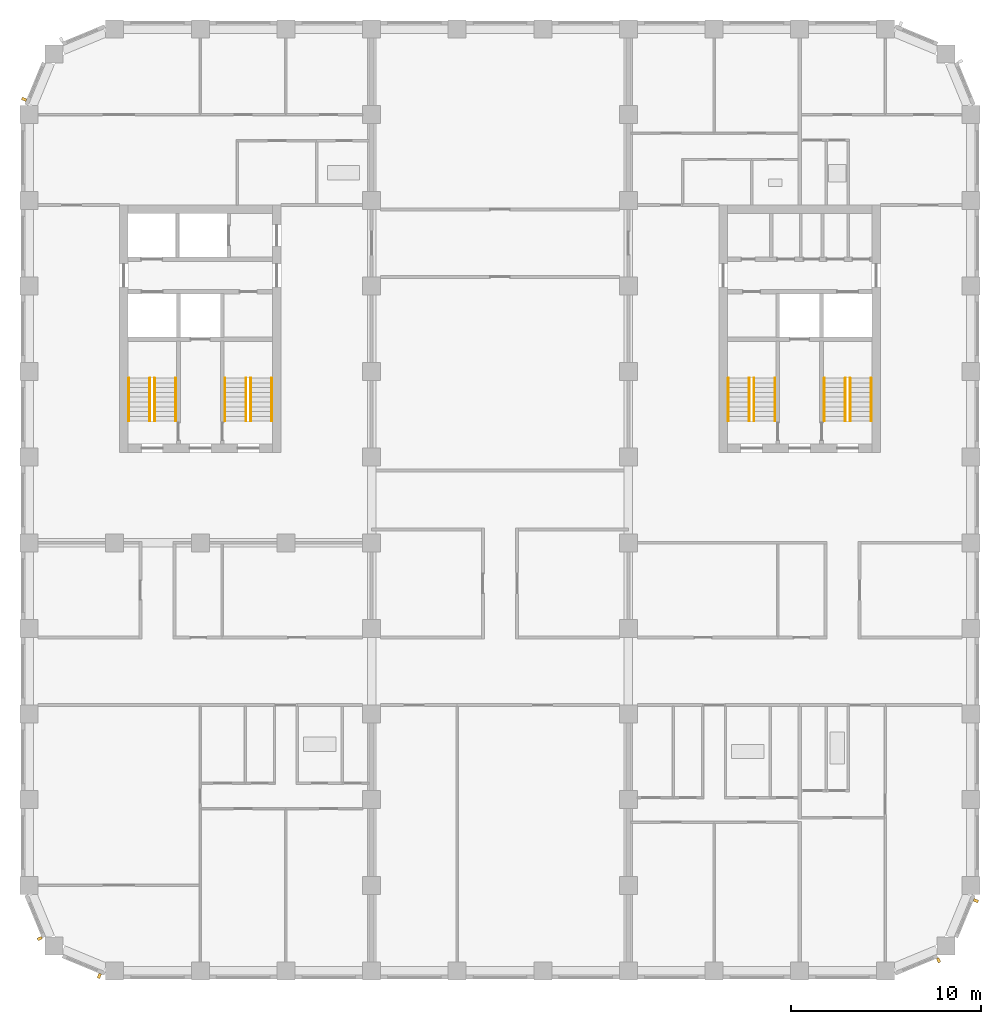
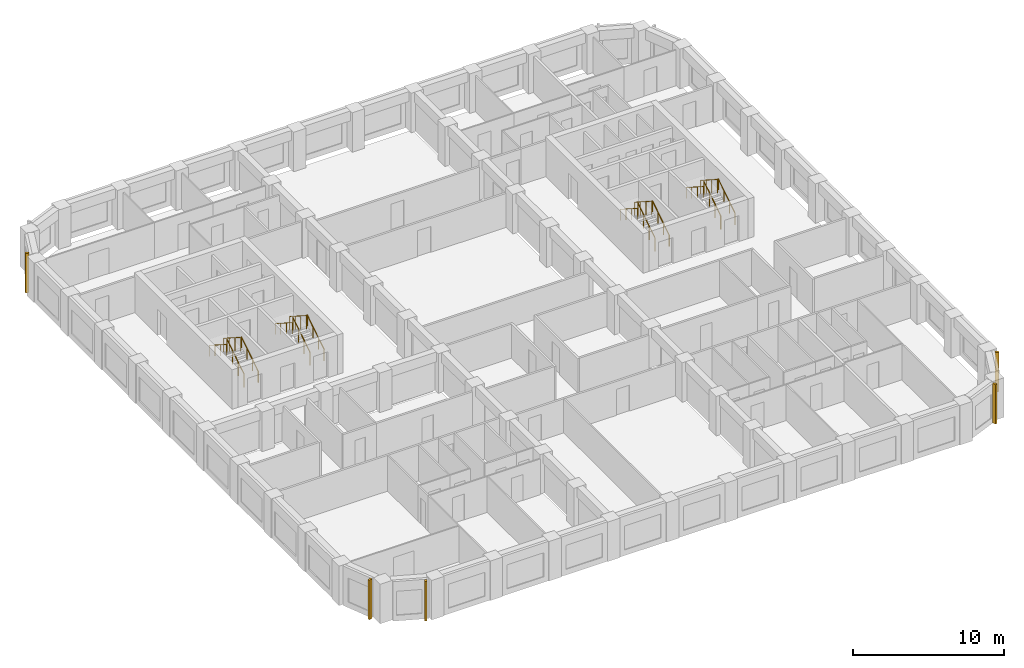
# One storey, part 10 of 12: 16 railings, 5 shading devices.
"""IFC4 building model written with IfcOpenShell, lengths in metres."""

from ifc_helpers import new_model, si_unit, direction, frame, origin, origin_2d, place, context, subcontext, project, spatial, rectangle, circle, extrude, material, type_object, element, save


model = new_model("IFC4")

# Units and contexts
model_context = context("Model", 3, precision=1e-05, world=origin(), true_north=direction((0.0, 1.0)))
body_context = subcontext(model_context, "Body", "Model", "MODEL_VIEW")
ifc_project = project(units=[si_unit("LENGTHUNIT", "METRE"), si_unit("AREAUNIT", "SQUARE_METRE"), si_unit("VOLUMEUNIT", "CUBIC_METRE"), si_unit("PLANEANGLEUNIT", "RADIAN"), si_unit("MASSUNIT", "GRAM", prefix="KILO")], contexts=[model_context])

# Site, building, storey
site_placement = place(None, origin())
site = spatial("IfcSite", under=ifc_project, at=site_placement, CompositionType="ELEMENT")
building_placement = place(site_placement, origin())
building = spatial("IfcBuilding", under=site, at=building_placement, Name="Girih Gate Residences", CompositionType="ELEMENT")
storey_placement = place(building_placement, frame((0.0, 0.0, 143.0)))
storey = spatial("IfcBuildingStorey", under=building, at=storey_placement, Name="L40", CompositionType="ELEMENT", Elevation=143.0)

# Shading devices
ifc_material_1 = material(Name="Precast concrete C50/60", Category="concrete")
shading_device_type = type_object("IfcShadingDeviceType", Name="Corner rib 150x250", PredefinedType="USERDEFINED", material=ifc_material_1)
for number, where, z_axis, x_axis, name in (
    (1, (0.562255859375, 1.705322265625, 0.0), (0.0, 0.0, 1.0), (0.382683432365, -0.923879532511, 0.0), "Corner rib SW0000_0045.0"),
    (2, (3.691650390625, -0.260498046875, 0.0), (0.0, 0.0, 1.0), (0.923879532511, -0.382683432365, 0.0), "Corner rib SW0013_0013.0"),
    (3, (47.794677734375, 0.562255859375, 0.0), (0.0, 0.0, 1.0), (0.923879532511, 0.382683432365, 0.0), "Corner rib SE0450_0000.0"),
    (4, (49.760498046875, 3.691650390625, 0.0), (0.0, 0.0, 1.0), (0.382683432365, 0.923879532511, 0.0), "Corner rib SE0482_0013.0"),
    (5, (-0.260498046875, 45.808349609375, 0.0), (0.0, 0.0, 1.0), (-0.382683432365, -0.923879532511, 0.0), "Corner rib NW0013_0482.0"),
):
    element("IfcShadingDevice", number, at=place(storey_placement, frame(where, z_axis=z_axis, x_axis=x_axis)), inside=storey, type_object=shading_device_type, Name=name, ObjectType="FIN", PredefinedType="USERDEFINED", context=body_context, shape_type="SweptSolid", body=[
        extrude(rectangle(XDim=0.14990234375, YDim=0.25, at=origin_2d()), origin(), (0.0, 0.0, 1.0), 3.199951171875),
    ])

# Railings
ifc_material_2 = material(Name="Stainless steel", Category="steel")
railing_type_1 = type_object("IfcRailingType", Name="Stair guard 1100", PredefinedType="GUARDRAIL", material=ifc_material_2)
railing_1_placement = place(storey_placement, frame((6.60009765625, 28.89990234375, 0.159912109375)))
element("IfcRailing", 6, at=railing_1_placement, inside=storey, type_object=railing_type_1, Name="L40 ST-W1 stair guard 1", PredefinedType="GUARDRAIL", context=body_context, shape_type="SweptSolid", body=[
    extrude(circle(Radius=0.02392578125, at=origin_2d()), frame((0.0, 0.0, 1.076171875), z_axis=(0.0, 0.842239864353, 0.539102968731), x_axis=(-1.0, 0.0, 0.0)), (0.0, 0.0, 1.0), 2.67138671875),
    extrude(circle(Radius=0.02099609375, at=origin_2d()), origin(), (0.0, 0.0, 1.0), 1.052001953125),
    extrude(circle(Radius=0.02099609375, at=origin_2d()), frame((0.0, 0.75, 0.47998046875)), (0.0, 0.0, 1.0), 1.052001953125),
    extrude(circle(Radius=0.02099609375, at=origin_2d()), frame((0.0, 1.5, 0.960205078125)), (0.0, 0.0, 1.0), 1.052001953125),
    extrude(circle(Radius=0.02099609375, at=origin_2d()), frame((0.0, 2.25, 1.440185546875)), (0.0, 0.0, 1.0), 1.052001953125),
])
railing_2_placement = place(storey_placement, frame((6.35009765625, 31.14990234375, 1.760009765625)))
element("IfcRailing", 7, at=railing_2_placement, inside=storey, type_object=railing_type_1, Name="L40 ST-W1 stair guard 2", PredefinedType="GUARDRAIL", context=body_context, shape_type="SweptSolid", body=[
    extrude(circle(Radius=0.02392578125, at=origin_2d()), frame((0.0, 0.0, 1.076171875), z_axis=(0.0, -0.842281359387, 0.539038135598), x_axis=(1.0, 0.0, 0.0)), (0.0, 0.0, 1.0), 2.67138671875),
    extrude(circle(Radius=0.02099609375, at=origin_2d()), origin(), (0.0, 0.0, 1.0), 1.052001953125),
    extrude(circle(Radius=0.02099609375, at=origin_2d()), frame((0.0, -0.75, 0.47998046875)), (0.0, 0.0, 1.0), 1.052001953125),
    extrude(circle(Radius=0.02099609375, at=origin_2d()), frame((0.0, -1.5, 0.9599609375)), (0.0, 0.0, 1.0), 1.052001953125),
    extrude(circle(Radius=0.02099609375, at=origin_2d()), frame((0.0, -2.25, 1.43994140625)), (0.0, 0.0, 1.0), 1.052001953125),
])
railing_3_placement = place(storey_placement, frame((11.64990234375, 28.89990234375, 0.159912109375)))
element("IfcRailing", 8, at=railing_3_placement, inside=storey, type_object=railing_type_1, Name="L40 ST-W2 stair guard 1", PredefinedType="GUARDRAIL", context=body_context, shape_type="SweptSolid", body=[
    extrude(circle(Radius=0.02392578125, at=origin_2d()), frame((0.0, 0.0, 1.076171875), z_axis=(0.0, 0.842239864353, 0.539102968731), x_axis=(-1.0, 0.0, 0.0)), (0.0, 0.0, 1.0), 2.67138671875),
    extrude(circle(Radius=0.02099609375, at=origin_2d()), origin(), (0.0, 0.0, 1.0), 1.052001953125),
    extrude(circle(Radius=0.02099609375, at=origin_2d()), frame((0.0, 0.75, 0.47998046875)), (0.0, 0.0, 1.0), 1.052001953125),
    extrude(circle(Radius=0.02099609375, at=origin_2d()), frame((0.0, 1.5, 0.960205078125)), (0.0, 0.0, 1.0), 1.052001953125),
    extrude(circle(Radius=0.02099609375, at=origin_2d()), frame((0.0, 2.25, 1.440185546875)), (0.0, 0.0, 1.0), 1.052001953125),
])
railing_4_placement = place(storey_placement, frame((11.39990234375, 31.14990234375, 1.760009765625)))
element("IfcRailing", 9, at=railing_4_placement, inside=storey, type_object=railing_type_1, Name="L40 ST-W2 stair guard 2", PredefinedType="GUARDRAIL", context=body_context, shape_type="SweptSolid", body=[
    extrude(circle(Radius=0.02392578125, at=origin_2d()), frame((0.0, 0.0, 1.076171875), z_axis=(0.0, -0.842281359387, 0.539038135598), x_axis=(1.0, 0.0, 0.0)), (0.0, 0.0, 1.0), 2.67138671875),
    extrude(circle(Radius=0.02099609375, at=origin_2d()), origin(), (0.0, 0.0, 1.0), 1.052001953125),
    extrude(circle(Radius=0.02099609375, at=origin_2d()), frame((0.0, -0.75, 0.47998046875)), (0.0, 0.0, 1.0), 1.052001953125),
    extrude(circle(Radius=0.02099609375, at=origin_2d()), frame((0.0, -1.5, 0.9599609375)), (0.0, 0.0, 1.0), 1.052001953125),
    extrude(circle(Radius=0.02099609375, at=origin_2d()), frame((0.0, -2.25, 1.43994140625)), (0.0, 0.0, 1.0), 1.052001953125),
])
railing_5_placement = place(storey_placement, frame((43.14990234375, 28.89990234375, 0.159912109375)))
element("IfcRailing", 10, at=railing_5_placement, inside=storey, type_object=railing_type_1, Name="L40 ST-E1 stair guard 1", PredefinedType="GUARDRAIL", context=body_context, shape_type="SweptSolid", body=[
    extrude(circle(Radius=0.02392578125, at=origin_2d()), frame((0.0, 0.0, 1.076171875), z_axis=(0.0, 0.842239864353, 0.539102968731), x_axis=(-1.0, 0.0, 0.0)), (0.0, 0.0, 1.0), 2.67138671875),
    extrude(circle(Radius=0.02099609375, at=origin_2d()), origin(), (0.0, 0.0, 1.0), 1.052001953125),
    extrude(circle(Radius=0.02099609375, at=origin_2d()), frame((0.0, 0.75, 0.47998046875)), (0.0, 0.0, 1.0), 1.052001953125),
    extrude(circle(Radius=0.02099609375, at=origin_2d()), frame((0.0, 1.5, 0.960205078125)), (0.0, 0.0, 1.0), 1.052001953125),
    extrude(circle(Radius=0.02099609375, at=origin_2d()), frame((0.0, 2.25, 1.440185546875)), (0.0, 0.0, 1.0), 1.052001953125),
])
railing_6_placement = place(storey_placement, frame((42.89990234375, 31.14990234375, 1.760009765625)))
element("IfcRailing", 11, at=railing_6_placement, inside=storey, type_object=railing_type_1, Name="L40 ST-E1 stair guard 2", PredefinedType="GUARDRAIL", context=body_context, shape_type="SweptSolid", body=[
    extrude(circle(Radius=0.02392578125, at=origin_2d()), frame((0.0, 0.0, 1.076171875), z_axis=(0.0, -0.842281359387, 0.539038135598), x_axis=(1.0, 0.0, 0.0)), (0.0, 0.0, 1.0), 2.67138671875),
    extrude(circle(Radius=0.02099609375, at=origin_2d()), origin(), (0.0, 0.0, 1.0), 1.052001953125),
    extrude(circle(Radius=0.02099609375, at=origin_2d()), frame((0.0, -0.75, 0.47998046875)), (0.0, 0.0, 1.0), 1.052001953125),
    extrude(circle(Radius=0.02099609375, at=origin_2d()), frame((0.0, -1.5, 0.9599609375)), (0.0, 0.0, 1.0), 1.052001953125),
    extrude(circle(Radius=0.02099609375, at=origin_2d()), frame((0.0, -2.25, 1.43994140625)), (0.0, 0.0, 1.0), 1.052001953125),
])
railing_7_placement = place(storey_placement, frame((38.10009765625, 28.89990234375, 0.159912109375)))
element("IfcRailing", 12, at=railing_7_placement, inside=storey, type_object=railing_type_1, Name="L40 ST-E2 stair guard 1", PredefinedType="GUARDRAIL", context=body_context, shape_type="SweptSolid", body=[
    extrude(circle(Radius=0.02392578125, at=origin_2d()), frame((0.0, 0.0, 1.076171875), z_axis=(0.0, 0.842239864353, 0.539102968731), x_axis=(-1.0, 0.0, 0.0)), (0.0, 0.0, 1.0), 2.67138671875),
    extrude(circle(Radius=0.02099609375, at=origin_2d()), origin(), (0.0, 0.0, 1.0), 1.052001953125),
    extrude(circle(Radius=0.02099609375, at=origin_2d()), frame((0.0, 0.75, 0.47998046875)), (0.0, 0.0, 1.0), 1.052001953125),
    extrude(circle(Radius=0.02099609375, at=origin_2d()), frame((0.0, 1.5, 0.960205078125)), (0.0, 0.0, 1.0), 1.052001953125),
    extrude(circle(Radius=0.02099609375, at=origin_2d()), frame((0.0, 2.25, 1.440185546875)), (0.0, 0.0, 1.0), 1.052001953125),
])
railing_8_placement = place(storey_placement, frame((37.85009765625, 31.14990234375, 1.760009765625)))
element("IfcRailing", 13, at=railing_8_placement, inside=storey, type_object=railing_type_1, Name="L40 ST-E2 stair guard 2", PredefinedType="GUARDRAIL", context=body_context, shape_type="SweptSolid", body=[
    extrude(circle(Radius=0.02392578125, at=origin_2d()), frame((0.0, 0.0, 1.076171875), z_axis=(0.0, -0.842281359387, 0.539038135598), x_axis=(1.0, 0.0, 0.0)), (0.0, 0.0, 1.0), 2.67138671875),
    extrude(circle(Radius=0.02099609375, at=origin_2d()), origin(), (0.0, 0.0, 1.0), 1.052001953125),
    extrude(circle(Radius=0.02099609375, at=origin_2d()), frame((0.0, -0.75, 0.47998046875)), (0.0, 0.0, 1.0), 1.052001953125),
    extrude(circle(Radius=0.02099609375, at=origin_2d()), frame((0.0, -1.5, 0.9599609375)), (0.0, 0.0, 1.0), 1.052001953125),
    extrude(circle(Radius=0.02099609375, at=origin_2d()), frame((0.0, -2.25, 1.43994140625)), (0.0, 0.0, 1.0), 1.052001953125),
])
railing_type_2 = type_object("IfcRailingType", Name="Stair handrail 900", PredefinedType="HANDRAIL", material=ifc_material_2)
railing_9_placement = place(storey_placement, frame((7.699951171875, 28.89990234375, 0.159912109375)))
element("IfcRailing", 14, at=railing_9_placement, inside=storey, type_object=railing_type_2, Name="L40 ST-W1 stair handrail 1", PredefinedType="HANDRAIL", context=body_context, shape_type="SweptSolid", body=[
    extrude(circle(Radius=0.02392578125, at=origin_2d()), frame((0.0, 0.0, 0.8857421875), z_axis=(0.0, 0.842239864353, 0.539102968731), x_axis=(-1.0, 0.0, 0.0)), (0.0, 0.0, 1.0), 2.67138671875),
    extrude(circle(Radius=0.02099609375, at=origin_2d()), origin(), (0.0, 0.0, 1.0), 0.86181640625),
    extrude(circle(Radius=0.02099609375, at=origin_2d()), frame((0.0, 0.75, 0.47998046875)), (0.0, 0.0, 1.0), 0.86181640625),
    extrude(circle(Radius=0.02099609375, at=origin_2d()), frame((0.0, 1.5, 0.960205078125)), (0.0, 0.0, 1.0), 0.86181640625),
    extrude(circle(Radius=0.02099609375, at=origin_2d()), frame((0.0, 2.25, 1.440185546875)), (0.0, 0.0, 1.0), 0.86181640625),
])
railing_10_placement = place(storey_placement, frame((5.25, 31.14990234375, 1.760009765625)))
element("IfcRailing", 15, at=railing_10_placement, inside=storey, type_object=railing_type_2, Name="L40 ST-W1 stair handrail 2", PredefinedType="HANDRAIL", context=body_context, shape_type="SweptSolid", body=[
    extrude(circle(Radius=0.02392578125, at=origin_2d()), frame((0.0, 0.0, 0.8857421875), z_axis=(0.0, -0.842281359387, 0.539038135598), x_axis=(1.0, 0.0, 0.0)), (0.0, 0.0, 1.0), 2.67138671875),
    extrude(circle(Radius=0.02099609375, at=origin_2d()), origin(), (0.0, 0.0, 1.0), 0.86181640625),
    extrude(circle(Radius=0.02099609375, at=origin_2d()), frame((0.0, -0.75, 0.47998046875)), (0.0, 0.0, 1.0), 0.86181640625),
    extrude(circle(Radius=0.02099609375, at=origin_2d()), frame((0.0, -1.5, 0.9599609375)), (0.0, 0.0, 1.0), 0.86181640625),
    extrude(circle(Radius=0.02099609375, at=origin_2d()), frame((0.0, -2.25, 1.43994140625)), (0.0, 0.0, 1.0), 0.86181640625),
])
railing_11_placement = place(storey_placement, frame((12.75, 28.89990234375, 0.159912109375)))
element("IfcRailing", 16, at=railing_11_placement, inside=storey, type_object=railing_type_2, Name="L40 ST-W2 stair handrail 1", PredefinedType="HANDRAIL", context=body_context, shape_type="SweptSolid", body=[
    extrude(circle(Radius=0.02392578125, at=origin_2d()), frame((0.0, 0.0, 0.8857421875), z_axis=(0.0, 0.842239864353, 0.539102968731), x_axis=(-1.0, 0.0, 0.0)), (0.0, 0.0, 1.0), 2.67138671875),
    extrude(circle(Radius=0.02099609375, at=origin_2d()), origin(), (0.0, 0.0, 1.0), 0.86181640625),
    extrude(circle(Radius=0.02099609375, at=origin_2d()), frame((0.0, 0.75, 0.47998046875)), (0.0, 0.0, 1.0), 0.86181640625),
    extrude(circle(Radius=0.02099609375, at=origin_2d()), frame((0.0, 1.5, 0.960205078125)), (0.0, 0.0, 1.0), 0.86181640625),
    extrude(circle(Radius=0.02099609375, at=origin_2d()), frame((0.0, 2.25, 1.440185546875)), (0.0, 0.0, 1.0), 0.86181640625),
])
railing_12_placement = place(storey_placement, frame((10.300048828125, 31.14990234375, 1.760009765625)))
element("IfcRailing", 17, at=railing_12_placement, inside=storey, type_object=railing_type_2, Name="L40 ST-W2 stair handrail 2", PredefinedType="HANDRAIL", context=body_context, shape_type="SweptSolid", body=[
    extrude(circle(Radius=0.02392578125, at=origin_2d()), frame((0.0, 0.0, 0.8857421875), z_axis=(0.0, -0.842281359387, 0.539038135598), x_axis=(1.0, 0.0, 0.0)), (0.0, 0.0, 1.0), 2.67138671875),
    extrude(circle(Radius=0.02099609375, at=origin_2d()), origin(), (0.0, 0.0, 1.0), 0.86181640625),
    extrude(circle(Radius=0.02099609375, at=origin_2d()), frame((0.0, -0.75, 0.47998046875)), (0.0, 0.0, 1.0), 0.86181640625),
    extrude(circle(Radius=0.02099609375, at=origin_2d()), frame((0.0, -1.5, 0.9599609375)), (0.0, 0.0, 1.0), 0.86181640625),
    extrude(circle(Radius=0.02099609375, at=origin_2d()), frame((0.0, -2.25, 1.43994140625)), (0.0, 0.0, 1.0), 0.86181640625),
])
railing_13_placement = place(storey_placement, frame((44.25, 28.89990234375, 0.159912109375)))
element("IfcRailing", 18, at=railing_13_placement, inside=storey, type_object=railing_type_2, Name="L40 ST-E1 stair handrail 1", PredefinedType="HANDRAIL", context=body_context, shape_type="SweptSolid", body=[
    extrude(circle(Radius=0.02392578125, at=origin_2d()), frame((0.0, 0.0, 0.8857421875), z_axis=(0.0, 0.842239864353, 0.539102968731), x_axis=(-1.0, 0.0, 0.0)), (0.0, 0.0, 1.0), 2.67138671875),
    extrude(circle(Radius=0.02099609375, at=origin_2d()), origin(), (0.0, 0.0, 1.0), 0.86181640625),
    extrude(circle(Radius=0.02099609375, at=origin_2d()), frame((0.0, 0.75, 0.47998046875)), (0.0, 0.0, 1.0), 0.86181640625),
    extrude(circle(Radius=0.02099609375, at=origin_2d()), frame((0.0, 1.5, 0.960205078125)), (0.0, 0.0, 1.0), 0.86181640625),
    extrude(circle(Radius=0.02099609375, at=origin_2d()), frame((0.0, 2.25, 1.440185546875)), (0.0, 0.0, 1.0), 0.86181640625),
])
railing_14_placement = place(storey_placement, frame((41.800048828125, 31.14990234375, 1.760009765625)))
element("IfcRailing", 19, at=railing_14_placement, inside=storey, type_object=railing_type_2, Name="L40 ST-E1 stair handrail 2", PredefinedType="HANDRAIL", context=body_context, shape_type="SweptSolid", body=[
    extrude(circle(Radius=0.02392578125, at=origin_2d()), frame((0.0, 0.0, 0.8857421875), z_axis=(0.0, -0.842281359387, 0.539038135598), x_axis=(1.0, 0.0, 0.0)), (0.0, 0.0, 1.0), 2.67138671875),
    extrude(circle(Radius=0.02099609375, at=origin_2d()), origin(), (0.0, 0.0, 1.0), 0.86181640625),
    extrude(circle(Radius=0.02099609375, at=origin_2d()), frame((0.0, -0.75, 0.47998046875)), (0.0, 0.0, 1.0), 0.86181640625),
    extrude(circle(Radius=0.02099609375, at=origin_2d()), frame((0.0, -1.5, 0.9599609375)), (0.0, 0.0, 1.0), 0.86181640625),
    extrude(circle(Radius=0.02099609375, at=origin_2d()), frame((0.0, -2.25, 1.43994140625)), (0.0, 0.0, 1.0), 0.86181640625),
])
railing_15_placement = place(storey_placement, frame((39.199951171875, 28.89990234375, 0.159912109375)))
element("IfcRailing", 20, at=railing_15_placement, inside=storey, type_object=railing_type_2, Name="L40 ST-E2 stair handrail 1", PredefinedType="HANDRAIL", context=body_context, shape_type="SweptSolid", body=[
    extrude(circle(Radius=0.02392578125, at=origin_2d()), frame((0.0, 0.0, 0.8857421875), z_axis=(0.0, 0.842239864353, 0.539102968731), x_axis=(-1.0, 0.0, 0.0)), (0.0, 0.0, 1.0), 2.67138671875),
    extrude(circle(Radius=0.02099609375, at=origin_2d()), origin(), (0.0, 0.0, 1.0), 0.86181640625),
    extrude(circle(Radius=0.02099609375, at=origin_2d()), frame((0.0, 0.75, 0.47998046875)), (0.0, 0.0, 1.0), 0.86181640625),
    extrude(circle(Radius=0.02099609375, at=origin_2d()), frame((0.0, 1.5, 0.960205078125)), (0.0, 0.0, 1.0), 0.86181640625),
    extrude(circle(Radius=0.02099609375, at=origin_2d()), frame((0.0, 2.25, 1.440185546875)), (0.0, 0.0, 1.0), 0.86181640625),
])
railing_16_placement = place(storey_placement, frame((36.75, 31.14990234375, 1.760009765625)))
element("IfcRailing", 21, at=railing_16_placement, inside=storey, type_object=railing_type_2, Name="L40 ST-E2 stair handrail 2", PredefinedType="HANDRAIL", context=body_context, shape_type="SweptSolid", body=[
    extrude(circle(Radius=0.02392578125, at=origin_2d()), frame((0.0, 0.0, 0.8857421875), z_axis=(0.0, -0.842281359387, 0.539038135598), x_axis=(1.0, 0.0, 0.0)), (0.0, 0.0, 1.0), 2.67138671875),
    extrude(circle(Radius=0.02099609375, at=origin_2d()), origin(), (0.0, 0.0, 1.0), 0.86181640625),
    extrude(circle(Radius=0.02099609375, at=origin_2d()), frame((0.0, -0.75, 0.47998046875)), (0.0, 0.0, 1.0), 0.86181640625),
    extrude(circle(Radius=0.02099609375, at=origin_2d()), frame((0.0, -1.5, 0.9599609375)), (0.0, 0.0, 1.0), 0.86181640625),
    extrude(circle(Radius=0.02099609375, at=origin_2d()), frame((0.0, -2.25, 1.43994140625)), (0.0, 0.0, 1.0), 0.86181640625),
])

save(model, "model.ifc")
